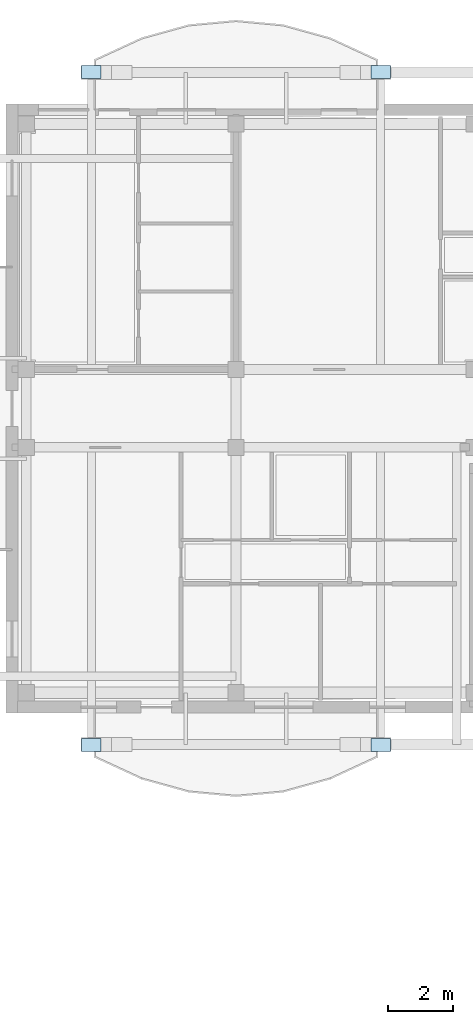
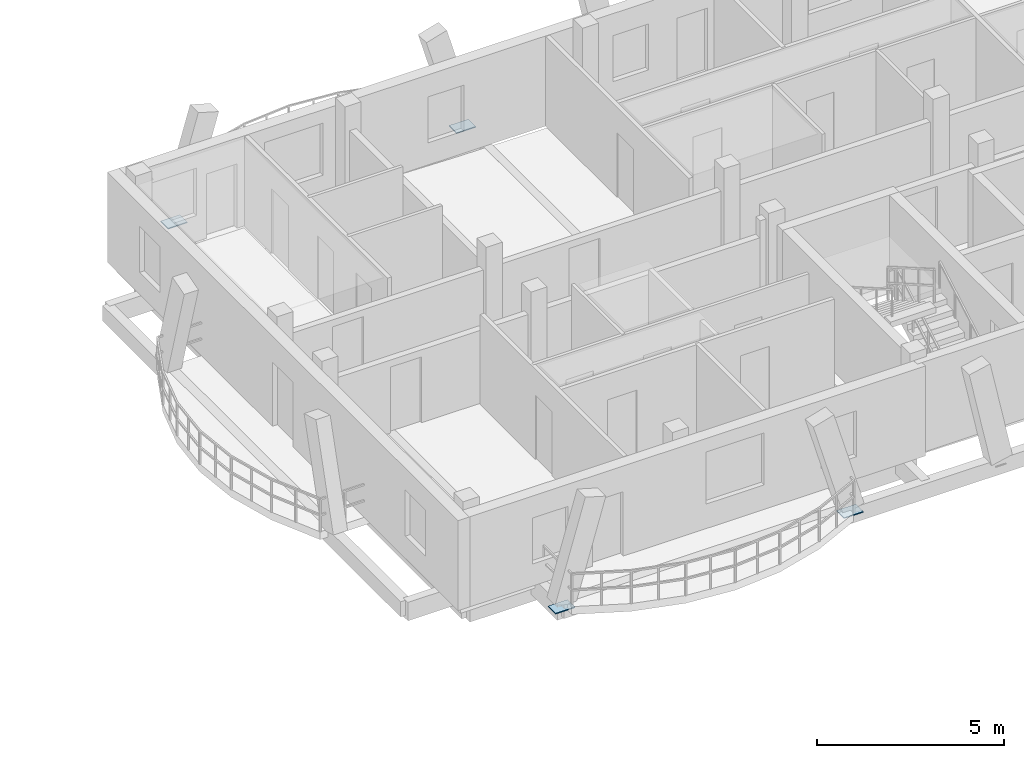
# One storey, part 14 of 50: 4 plates.
"""IFC4 building model written with IfcOpenShell, lengths in metres."""

from ifc_helpers import new_model, si_unit, direction, frame, origin, origin_2d, place, context, subcontext, project, spatial, rectangle, extrude, material, layer, layer_set, type_object, element, save


model = new_model("IFC4")

# Units and contexts
model_context = context("Model", 3, precision=1e-05, world=origin(), true_north=direction((0.0, 1.0)))
body_context = subcontext(model_context, "Body", "Model", "MODEL_VIEW")
ifc_project = project(units=[si_unit("LENGTHUNIT", "METRE"), si_unit("AREAUNIT", "SQUARE_METRE"), si_unit("VOLUMEUNIT", "CUBIC_METRE"), si_unit("PLANEANGLEUNIT", "RADIAN"), si_unit("MASSUNIT", "GRAM", prefix="KILO")], contexts=[model_context])

# Site, building, storey
site_placement = place(None, origin())
site = spatial("IfcSite", under=ifc_project, at=site_placement, CompositionType="ELEMENT")
building_placement = place(site_placement, origin())
building = spatial("IfcBuilding", under=site, at=building_placement, Name="Zavelmont Quarter", CompositionType="ELEMENT")
storey_placement = place(building_placement, frame((0.0, 0.0, 11.199951171875)))
storey = spatial("IfcBuildingStorey", under=building, at=storey_placement, Name="L03", CompositionType="ELEMENT", Elevation=11.199951171875)

# Plates
ifc_material = material(Name="Steel S355", Category="steel")
ifc_layer = layer(ifc_material, 0.030029296875)
ifc_layer_set = layer_set([ifc_layer], Name="Steel S355")
plate_type = type_object("IfcPlateType", Name="NP05", PredefinedType="SHEET", material=ifc_layer_set)
for number, where, z_axis, x_axis, name in (
    (1, (115.2470703125, 117.162109375, -0.21484375), (0.0, 0.0, 1.0), (1.0, 0.0, 0.0), "L03 steel connection plate NP05 at 17/S"),
    (2, (124.15283203125, 117.162109375, -0.21484375), (0.0, 0.0, 1.0), (1.0, 0.0, 0.0), "L03 steel connection plate NP05 at 19/S"),
    (3, (115.2470703125, 96.43798828125, -0.21484375), (0.0, 0.0, 1.0), (1.0, 0.0, 0.0), "L03 steel connection plate NP05 at 17/P"),
    (4, (124.15283203125, 96.43798828125, -0.21484375), (0.0, 0.0, 1.0), (1.0, 0.0, 0.0), "L03 steel connection plate NP05 at 19/P"),
):
    element("IfcPlate", number, at=place(storey_placement, frame(where, z_axis=z_axis, x_axis=x_axis)), inside=storey, type_object=plate_type, Name=name, PredefinedType="SHEET", context=body_context, shape_type="SweptSolid", body=[
        extrude(rectangle(XDim=0.60009765625, YDim=0.39990234375, at=origin_2d()), origin(), (0.0, 0.0, 1.0), 0.030029296875),
    ])

save(model, "model.ifc")
